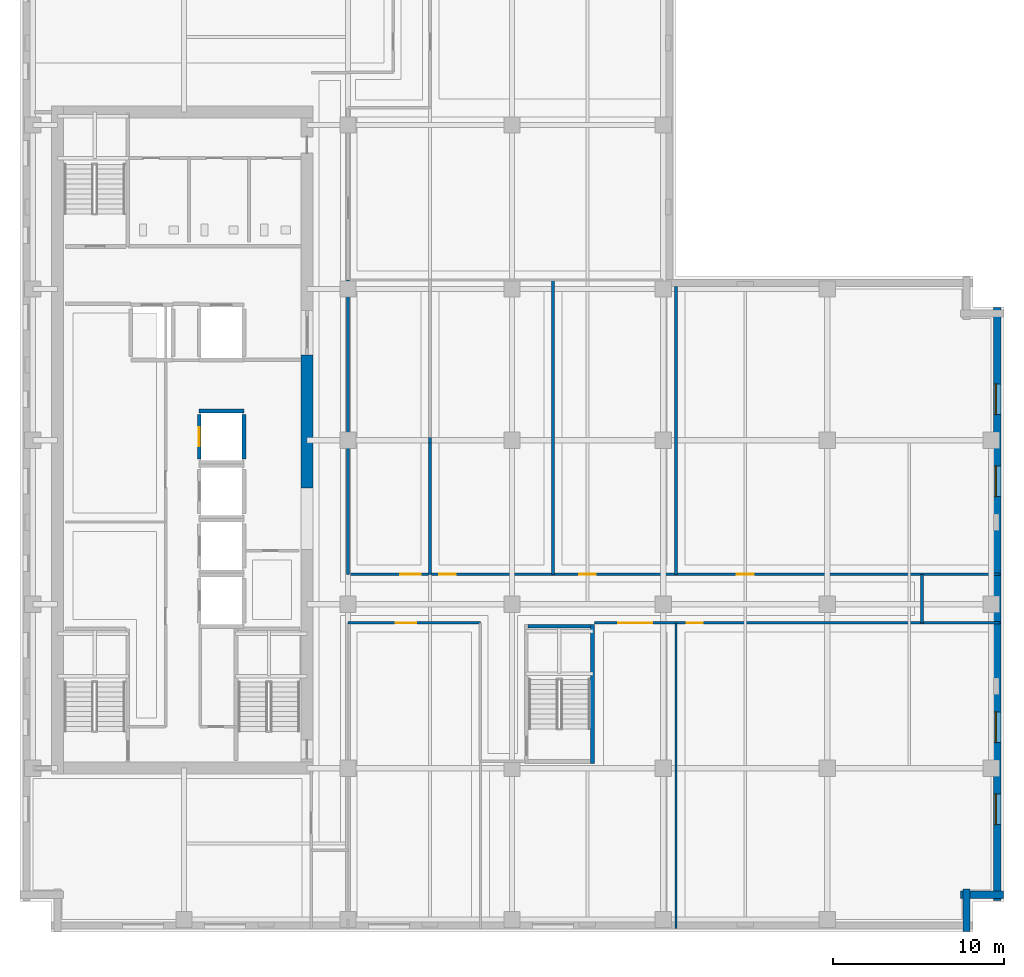
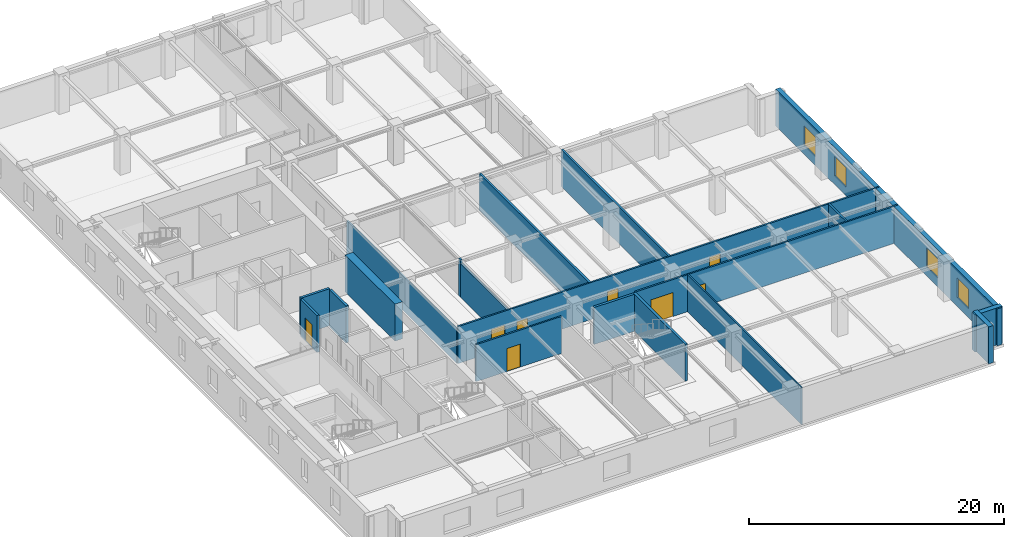
# One storey, part 5 of 13: 19 walls, 8 doors, 4 windows, 12 openings.
"""IFC4 building model written with IfcOpenShell, lengths in metres."""

import ifcopenshell
import ifcopenshell.guid

model = None  # the IFC model being written
_history = None  # IfcOwnerHistory: only IFC2X3 demands one
_inside = {}  # id of a spatial element -> (the spatial element, [elements in it])
_under = {}  # id of a project, library or spatial element -> (it, [spatial elements below it])
_declared = {}  # id of a project -> (the project, [libraries it declares])
_typed = {}  # id of a type object -> (the type object, [elements of that type])
_made_of = {}  # id of a material, layer set ... -> (it, [elements and type objects made of it])


def new_model(schema):
    """Start an empty IFC model of exactly this schema.

    Asked for "IFC4X3", IfcOpenShell would pick the latest addendum, in which some entities
    have other attributes; the version numbers below select the first issue.
    IFC2X3 requires an IfcOwnerHistory on every rooted entity: one is made here for all.
    """
    global model, _history
    if schema == "IFC4X3":
        model = ifcopenshell.file(schema_version=(4, 3, 0, 0))
    else:
        model = ifcopenshell.file(schema=schema)
    _inside.clear()
    _under.clear()
    _declared.clear()
    _typed.clear()
    _made_of.clear()
    _history = None
    if model.schema == "IFC2X3":
        org = make("IfcOrganization", Name="unknown")
        user = make(
            "IfcPersonAndOrganization",
            ThePerson=make("IfcPerson", FamilyName="unknown"),
            TheOrganization=org,
        )
        app = make(
            "IfcApplication",
            ApplicationDeveloper=org,
            Version="unknown",
            ApplicationFullName="unknown",
            ApplicationIdentifier="unknown",
        )
        _history = make(
            "IfcOwnerHistory",
            OwningUser=user,
            OwningApplication=app,
            ChangeAction="ADDED",
            CreationDate=0,
        )
    return model


def make(cls, **values):
    """One entity of the class cls with the attributes given. An attribute that is None is left unset."""
    return model.create_entity(
        cls, **{name: value for name, value in values.items() if value is not None}
    )


def rooted(cls, **values):
    """An entity with a GlobalId (a new one), such as an element, a storey or a relation."""
    return make(cls, GlobalId=ifcopenshell.guid.new(), OwnerHistory=_history, **values)


def si_unit(unit_type, name, prefix=None):
    """IfcSIUnit, for example si_unit("LENGTHUNIT", "METRE", prefix="MILLI")."""
    return make("IfcSIUnit", UnitType=unit_type, Prefix=prefix, Name=name)


def assignment(units):
    """IfcUnitAssignment: the units of a project."""
    return None if units is None else make("IfcUnitAssignment", Units=units)


def point(xyz):
    """IfcCartesianPoint."""
    return None if xyz is None else make("IfcCartesianPoint", Coordinates=xyz)


def direction(xyz):
    """IfcDirection."""
    return None if xyz is None else make("IfcDirection", DirectionRatios=xyz)


def frame(location, z_axis=None, x_axis=None):
    """IfcAxis2Placement3D, a coordinate frame: its origin and axes. An axis left out is left unset."""
    return make(
        "IfcAxis2Placement3D",
        Location=point(location),
        Axis=direction(z_axis),
        RefDirection=direction(x_axis),
    )


def frame_2d(location, x_axis=None):
    """IfcAxis2Placement2D, a coordinate frame in the plane: its origin and x axis."""
    return make(
        "IfcAxis2Placement2D", Location=point(location), RefDirection=direction(x_axis)
    )


def origin():
    """The frame at (0, 0, 0) with its axes left unset."""
    return frame((0.0, 0.0, 0.0))


def place(relative_to, where):
    """IfcLocalPlacement: puts the frame where relative to a parent placement (None: the world)."""
    return make(
        "IfcLocalPlacement", PlacementRelTo=relative_to, RelativePlacement=where
    )


def context(
    kind, dimensions, precision=None, world=None, true_north=None, identifier=None
):
    """IfcGeometricRepresentationContext, for example the 3D "Model" context."""
    return make(
        "IfcGeometricRepresentationContext",
        ContextIdentifier=identifier,
        ContextType=kind,
        CoordinateSpaceDimension=dimensions,
        Precision=precision,
        WorldCoordinateSystem=world,
        TrueNorth=true_north,
    )


def subcontext(parent, identifier, kind, view, scale=None):
    """IfcGeometricRepresentationSubContext, for example "Body" below "Model"."""
    return make(
        "IfcGeometricRepresentationSubContext",
        ContextIdentifier=identifier,
        ContextType=kind,
        ParentContext=parent,
        TargetScale=scale,
        TargetView=view,
    )


def project(units=None, contexts=None):
    """IfcProject with its units and contexts."""
    return rooted(
        "IfcProject",
        Name="project",
        RepresentationContexts=contexts,
        UnitsInContext=assignment(units),
    )


def spatial(cls, under=None, at=None, **own):
    """A site, building, storey or space (cls), placed at a placement, below another one or the project."""
    s = rooted(cls, ObjectPlacement=at, **own)
    if under is not None:
        _under.setdefault(under.id(), (under, []))[1].append(s)
    return s


def profile(cls, at=None, kind="AREA", **sizes):
    """A parametric profile (cls). Its sizes go by their IFC names, for example OverallWidth=200.0."""
    return make(cls, ProfileType=kind, Position=at, **sizes)


def rectangle(**sizes):
    """IfcRectangleProfileDef."""
    return profile("IfcRectangleProfileDef", **sizes)


def extrude(swept, where, along, depth):
    """IfcExtrudedAreaSolid: the profile swept, set in the frame where, extruded along a direction by depth."""
    return make(
        "IfcExtrudedAreaSolid",
        SweptArea=swept,
        Position=where,
        ExtrudedDirection=direction(along),
        Depth=depth,
    )


def shape(context_of_items, identifier, shape_type, items):
    """IfcShapeRepresentation: the items that make up one representation, for example the "Body"."""
    return make(
        "IfcShapeRepresentation",
        ContextOfItems=context_of_items,
        RepresentationIdentifier=identifier,
        RepresentationType=shape_type,
        Items=items,
    )


def material(Name=None, Category=None):
    """IfcMaterial."""
    return make("IfcMaterial", Name=Name, Category=Category)


def layer(
    of_material, thickness, ventilated=None, Name=None, Category=None, Priority=None
):
    """IfcMaterialLayer: one layer of a wall or slab, of a material (None: an air gap)."""
    return make(
        "IfcMaterialLayer",
        Material=of_material,
        LayerThickness=thickness,
        IsVentilated=ventilated,
        Name=Name,
        Category=Category,
        Priority=Priority,
    )


def layer_set(layers, Name=None):
    """IfcMaterialLayerSet."""
    return make("IfcMaterialLayerSet", MaterialLayers=layers, LayerSetName=Name)


def made_of(thing, what):
    """Note that an element or type object is made of a material, layer set ...; save() writes the relation."""
    if what is not None:
        _made_of.setdefault(what.id(), (what, []))[1].append(thing)
    return thing


def type_object(cls, material=None, **own):
    """A type object (cls), such as IfcWallType, which elements share."""
    return made_of(rooted(cls, **own), material)


def element(
    cls,
    number,
    at=None,
    inside=None,
    cuts=None,
    type_object=None,
    material=None,
    context=None,
    identifier="Body",
    shape_type=None,
    held_by="IfcProductDefinitionShape",
    body=None,
    shapes=None,
    **own,
):
    """One element of the class cls, such as IfcWall. Its Tag is "e" and its number.

    at: its placement. inside: the storey or other place that contains it. cuts: it is an
    opening in that element (IfcRelVoidsElement). A single representation is given by context,
    identifier, shape_type and body (its items); several are given by shapes. held_by: the class
    of the entity that holds the representations. save() writes the other relations.
    """
    e = rooted(cls, Tag="e%d" % number, ObjectPlacement=at, **own)
    if body is not None:
        shapes = [shape(context, identifier, shape_type, body)]
    if shapes is not None:
        e.Representation = make(held_by, Representations=shapes)
    if inside is not None:
        _inside.setdefault(inside.id(), (inside, []))[1].append(e)
    if cuts is not None:
        rooted(
            "IfcRelVoidsElement", RelatingBuildingElement=cuts, RelatedOpeningElement=e
        )
    if type_object is not None:
        _typed.setdefault(type_object.id(), (type_object, []))[1].append(e)
    return made_of(e, material)


def fill(opening, filler):
    """IfcRelFillsElement: the door or window that sits in an opening."""
    return rooted(
        "IfcRelFillsElement",
        RelatingOpeningElement=opening,
        RelatedBuildingElement=filler,
    )


def aggregate(whole, parts):
    """IfcRelAggregates: a whole, such as a stair, and the parts it consists of."""
    return rooted("IfcRelAggregates", RelatingObject=whole, RelatedObjects=parts)


def save(model, path):
    """Write the relations noted so far, then the file.

    IfcRelAggregates (storeys below a building ...), IfcRelContainedInSpatialStructure (elements
    in a storey), IfcRelDefinesByType, IfcRelAssociatesMaterial and IfcRelDeclares: one each for
    every whole, place, type object, material and project.
    """
    for whole, parts in _under.values():
        aggregate(whole, parts)
    for where, things in _inside.values():
        rooted(
            "IfcRelContainedInSpatialStructure",
            RelatedElements=things,
            RelatingStructure=where,
        )
    for kind, things in _typed.values():
        rooted("IfcRelDefinesByType", RelatedObjects=things, RelatingType=kind)
    for what, things in _made_of.values():
        rooted("IfcRelAssociatesMaterial", RelatedObjects=things, RelatingMaterial=what)
    for by, libraries in _declared.values():
        rooted("IfcRelDeclares", RelatingContext=by, RelatedDefinitions=libraries)
    model.write(path)


model = new_model("IFC4")

# Units and contexts
model_context = context("Model", 3, precision=1e-05, world=origin(), true_north=direction((0.0, 1.0)))
body_context = subcontext(model_context, "Body", "Model", "MODEL_VIEW")
ifc_project = project(units=[si_unit("LENGTHUNIT", "METRE"), si_unit("AREAUNIT", "SQUARE_METRE"), si_unit("VOLUMEUNIT", "CUBIC_METRE"), si_unit("PLANEANGLEUNIT", "RADIAN"), si_unit("MASSUNIT", "GRAM", prefix="KILO")], contexts=[model_context])

# Site, building, storey
site_placement = place(None, origin())
site = spatial("IfcSite", under=ifc_project, at=site_placement, CompositionType="ELEMENT")
building_placement = place(site_placement, origin())
building = spatial("IfcBuilding", under=site, at=building_placement, Name="Norrvale University Quadrangle", CompositionType="ELEMENT")
storey_placement = place(building_placement, frame((0.0, 0.0, 178.800048828125)))
storey = spatial("IfcBuildingStorey", under=building, at=storey_placement, Name="L45", CompositionType="ELEMENT", Elevation=178.800048828125)

# Walls
ifc_material_1 = material(Name="Buff Norman Clay Brick Masonry", Category="masonry")
ifc_layer_1 = layer(ifc_material_1, 0.419921875, Name="Buff Norman Clay Brick Masonry")
ifc_layer_set_1 = layer_set([ifc_layer_1], Name="Buff Norman Clay Brick Masonry")
wall_type_1 = type_object("IfcWallType", Name="Wall Buff Brick 420", PredefinedType="SOLIDWALL", material=ifc_layer_set_1)
for number, where, z_axis, x_axis, name in (
    (1, (55.409912109375, 0.0400390625, 0.0), (0.0, 0.0, 1.0), (0.0, 1.0, 0.0), "Exterior Brick Facade Wall L45-02.1"),
    (2, (55.06005859375, 2.18994140625, 0.0), (0.0, 0.0, 1.0), (1.0, 0.0, 0.0), "Exterior Brick Facade Wall L45-03.1"),
):
    element("IfcWall", number, at=place(storey_placement, frame(where, z_axis=z_axis, x_axis=x_axis)), inside=storey, type_object=wall_type_1, Name=name, PredefinedType="SOLIDWALL", context=body_context, shape_type="SweptSolid", body=[
        extrude(rectangle(XDim=2.5, YDim=0.419921875, at=frame_2d((1.25, 0.0))), origin(), (0.0, 0.0, 1.0), 3.5400390625),
    ])

# Wall, openings, windows
wall_1_placement = place(storey_placement, frame((57.2099609375, 1.840087890625, 0.0), z_axis=(0.0, 0.0, 1.0), x_axis=(0.0, 1.0, 0.0)))
wall_1 = element("IfcWall", 3, at=wall_1_placement, inside=storey, type_object=wall_type_1, Name="Exterior Brick Facade Wall L45-04.1", PredefinedType="SOLIDWALL", context=body_context, shape_type="SweptSolid", body=[
    extrude(rectangle(XDim=34.719970703125, YDim=0.419921875, at=frame_2d((17.35986328125, 0.0))), origin(), (0.0, 0.0, 1.0), 3.5400390625),
])
opening_1_placement = place(wall_1_placement, frame((4.4599609375, 0.0, 0.85009765625)))
opening_1 = element("IfcOpeningElement", 4, at=opening_1_placement, cuts=wall_1, Name="Opening W01", PredefinedType="OPENING", context=body_context, shape_type="SweptSolid", body=[
    extrude(rectangle(XDim=1.800048828125, YDim=1.85009765625, at=frame_2d((0.89990234375, 0.925048828125))), frame((0.0, 0.221923828125, 0.0), z_axis=(0.0, -1.0, 0.0), x_axis=(1.0, 0.0, 0.0)), (0.0, 0.0, 1.0), 0.44384765625),
])
opening_2_placement = place(wall_1_placement, frame((9.260009765625, 0.0, 0.85009765625)))
opening_2 = element("IfcOpeningElement", 5, at=opening_2_placement, cuts=wall_1, Name="Opening W01", PredefinedType="OPENING", context=body_context, shape_type="SweptSolid", body=[
    extrude(rectangle(XDim=1.800048828125, YDim=1.85009765625, at=frame_2d((0.89990234375, 0.925048828125))), frame((0.0, 0.221923828125, 0.0), z_axis=(0.0, -1.0, 0.0), x_axis=(1.0, 0.0, 0.0)), (0.0, 0.0, 1.0), 0.44384765625),
])
opening_3_placement = place(wall_1_placement, frame((23.659912109375, 0.0, 0.85009765625)))
opening_3 = element("IfcOpeningElement", 6, at=opening_3_placement, cuts=wall_1, Name="Opening W01", PredefinedType="OPENING", context=body_context, shape_type="SweptSolid", body=[
    extrude(rectangle(XDim=1.800048828125, YDim=1.85009765625, at=frame_2d((0.89990234375, 0.925048828125))), frame((0.0, 0.221923828125, 0.0), z_axis=(0.0, -1.0, 0.0), x_axis=(1.0, 0.0, 0.0)), (0.0, 0.0, 1.0), 0.44384765625),
])
opening_4_placement = place(wall_1_placement, frame((28.4599609375, 0.0, 0.85009765625)))
opening_4 = element("IfcOpeningElement", 7, at=opening_4_placement, cuts=wall_1, Name="Opening W01", PredefinedType="OPENING", context=body_context, shape_type="SweptSolid", body=[
    extrude(rectangle(XDim=1.800048828125, YDim=1.85009765625, at=frame_2d((0.89990234375, 0.925048828125))), frame((0.0, 0.221923828125, 0.0), z_axis=(0.0, -1.0, 0.0), x_axis=(1.0, 0.0, 0.0)), (0.0, 0.0, 1.0), 0.44384765625),
])
ifc_material_2 = material(Name="Triple Low-E Argon Glazing", Category="glass")
window_type = type_object("IfcWindowType", Name="Window Academic 1800x2300", PartitioningType="DOUBLE_PANEL_VERTICAL", PredefinedType="WINDOW", material=ifc_material_2)
window_1_placement = place(opening_1_placement, origin())
window_1 = element("IfcWindow", 8, at=window_1_placement, inside=storey, type_object=window_type, Name="Window Academic 1800x2300 WIN-L45-E04-1-01", OverallHeight=1.85009765625, OverallWidth=1.800048828125, PartitioningType="DOUBLE_PANEL_VERTICAL", PredefinedType="WINDOW", context=body_context, shape_type="SweptSolid", body=[
    extrude(rectangle(XDim=1.800048828125, YDim=1.85009765625, at=frame_2d((0.89990234375, 0.925048828125))), frame((0.0, 0.110107421875, 0.0), z_axis=(0.0, -1.0, 0.0), x_axis=(1.0, 0.0, 0.0)), (0.0, 0.0, 1.0), 0.06005859375),
])
fill(opening_1, window_1)
window_2_placement = place(opening_2_placement, origin())
window_2 = element("IfcWindow", 9, at=window_2_placement, inside=storey, type_object=window_type, Name="Window Academic 1800x2300 WIN-L45-E04-1-02", OverallHeight=1.85009765625, OverallWidth=1.800048828125, PartitioningType="DOUBLE_PANEL_VERTICAL", PredefinedType="WINDOW", context=body_context, shape_type="SweptSolid", body=[
    extrude(rectangle(XDim=1.800048828125, YDim=1.85009765625, at=frame_2d((0.89990234375, 0.925048828125))), frame((0.0, 0.110107421875, 0.0), z_axis=(0.0, -1.0, 0.0), x_axis=(1.0, 0.0, 0.0)), (0.0, 0.0, 1.0), 0.06005859375),
])
fill(opening_2, window_2)
window_3_placement = place(opening_3_placement, origin())
window_3 = element("IfcWindow", 10, at=window_3_placement, inside=storey, type_object=window_type, Name="Window Academic 1800x2300 WIN-L45-E04-1-03", OverallHeight=1.85009765625, OverallWidth=1.800048828125, PartitioningType="DOUBLE_PANEL_VERTICAL", PredefinedType="WINDOW", context=body_context, shape_type="SweptSolid", body=[
    extrude(rectangle(XDim=1.800048828125, YDim=1.85009765625, at=frame_2d((0.89990234375, 0.925048828125))), frame((0.0, 0.110107421875, 0.0), z_axis=(0.0, -1.0, 0.0), x_axis=(1.0, 0.0, 0.0)), (0.0, 0.0, 1.0), 0.06005859375),
])
fill(opening_3, window_3)
window_4_placement = place(opening_4_placement, origin())
window_4 = element("IfcWindow", 11, at=window_4_placement, inside=storey, type_object=window_type, Name="Window Academic 1800x2300 WIN-L45-E04-1-04", OverallHeight=1.85009765625, OverallWidth=1.800048828125, PartitioningType="DOUBLE_PANEL_VERTICAL", PredefinedType="WINDOW", context=body_context, shape_type="SweptSolid", body=[
    extrude(rectangle(XDim=1.800048828125, YDim=1.85009765625, at=frame_2d((0.89990234375, 0.925048828125))), frame((0.0, 0.110107421875, 0.0), z_axis=(0.0, -1.0, 0.0), x_axis=(1.0, 0.0, 0.0)), (0.0, 0.0, 1.0), 0.06005859375),
])
fill(opening_4, window_4)

# Walls
ifc_material_3 = material(Name="Concrete C60/75", Category="concrete")
ifc_layer_2 = layer(ifc_material_3, 0.699951171875, Name="Concrete C60/75")
ifc_layer_set_2 = layer_set([ifc_layer_2], Name="Concrete C60/75")
wall_type_2 = type_object("IfcWallType", Name="Wall Core 700", PredefinedType="SHEAR", material=ifc_layer_set_2)
wall_2_placement = place(storey_placement, frame((16.800048828125, 26.0, 0.0), z_axis=(0.0, 0.0, 1.0), x_axis=(0.0, 1.0, 0.0)))
element("IfcWall", 12, at=wall_2_placement, inside=storey, type_object=wall_type_2, Name="Tower Core Shear Wall L45-E2", PredefinedType="SHEAR", context=body_context, shape_type="SweptSolid", body=[
    extrude(rectangle(XDim=7.800048828125, YDim=0.699951171875, at=frame_2d((3.89990234375, 0.0))), origin(), (0.0, 0.0, 1.0), 3.5400390625),
])
ifc_material_4 = material(Name="Standard Academic Gypsum Partition")
ifc_layer_3 = layer(ifc_material_4, 0.125, Name="Standard Academic Gypsum Partition")
ifc_layer_set_3 = layer_set([ifc_layer_3], Name="Standard Academic Gypsum Partition")
wall_type_3 = type_object("IfcWallType", Name="Wall Gypsum Academic 125", PredefinedType="PARTITIONING", material=ifc_layer_set_3)
wall_3_placement = place(storey_placement, frame((38.39990234375, 0.219970703125, 0.0), z_axis=(0.0, 0.0, 1.0), x_axis=(0.0, 1.0, 0.0)))
element("IfcWall", 13, at=wall_3_placement, inside=storey, type_object=wall_type_3, Name="Interior Partition WL-L45-SEP2", PredefinedType="PARTITIONING", context=body_context, shape_type="SweptSolid", body=[
    extrude(rectangle(XDim=17.880126953125, YDim=0.125, at=frame_2d((8.93994140625, 0.0))), origin(), (0.0, 0.0, 1.0), 3.5400390625),
])
ifc_material_5 = material(Name="Fire-Rated Gypsum Stud Partition")
ifc_layer_4 = layer(ifc_material_5, 0.14990234375, Name="Fire-Rated Gypsum Stud Partition")
ifc_layer_set_4 = layer_set([ifc_layer_4], Name="Fire-Rated Gypsum Stud Partition")
wall_type_4 = type_object("IfcWallType", Name="Wall Gypsum Corridor 150", PredefinedType="PARTITIONING", material=ifc_layer_set_4)
wall_4_placement = place(storey_placement, frame((52.800048828125, 18.10009765625, 0.0), z_axis=(0.0, 0.0, 1.0), x_axis=(0.0, 1.0, 0.0)))
element("IfcWall", 14, at=wall_4_placement, inside=storey, type_object=wall_type_4, Name="Interior Partition WL-L45-CESP-E", PredefinedType="PARTITIONING", context=body_context, shape_type="SweptSolid", body=[
    extrude(rectangle(XDim=2.849853515625, YDim=0.14990234375, at=frame_2d((1.4248046875, 0.0))), origin(), (0.0, 0.0, 1.0), 3.5400390625),
])

# Wall, opening, door
wall_5_placement = place(storey_placement, frame((19.199951171875, 18.10009765625, 0.0), z_axis=(0.0, 0.0, 1.0), x_axis=(1.0, 0.0, 0.0)))
wall_5 = element("IfcWall", 15, at=wall_5_placement, inside=storey, type_object=wall_type_4, Name="Interior Partition WL-L45-SEW1", PredefinedType="PARTITIONING", context=body_context, shape_type="SweptSolid", body=[
    extrude(rectangle(XDim=7.75, YDim=0.14990234375, at=frame_2d((3.875, 0.0))), origin(), (0.0, 0.0, 1.0), 3.5400390625),
])
opening_5_placement = place(wall_5_placement, frame((2.800048828125, 0.0, 0.0)))
opening_5 = element("IfcOpeningElement", 16, at=opening_5_placement, cuts=wall_5, Name="Opening D05", PredefinedType="OPENING", context=body_context, shape_type="SweptSolid", body=[
    extrude(rectangle(XDim=1.199951171875, YDim=2.199951171875, at=frame_2d((0.60009765625, 1.10009765625))), frame((0.0, 0.0869140625, 0.0), z_axis=(0.0, -1.0, 0.0), x_axis=(1.0, 0.0, 0.0)), (0.0, 0.0, 1.0), 0.173828125),
])
ifc_material_6 = material(Name="Acoustic Oak Classroom Door", Category="wood")
door_type_1 = type_object("IfcDoorType", Name="Door Classroom 1200x2200", OperationType="NOTDEFINED", PredefinedType="DOOR", material=ifc_material_6)
door_1_placement = place(opening_5_placement, origin())
door_1 = element("IfcDoor", 17, at=door_1_placement, inside=storey, type_object=door_type_1, Name="Door Classroom 1200x2200 DR-L45-SE1", OperationType="SINGLE_SWING_LEFT", OverallHeight=2.199951171875, OverallWidth=1.199951171875, PredefinedType="DOOR", context=body_context, shape_type="SweptSolid", body=[
    extrude(rectangle(XDim=1.199951171875, YDim=2.199951171875, at=frame_2d((0.60009765625, 1.10009765625))), frame((0.0, 0.02490234375, 0.0), z_axis=(0.0, -1.0, 0.0), x_axis=(1.0, 0.0, 0.0)), (0.0, 0.0, 1.0), 0.050048828125),
])
fill(opening_5, door_1)

# Wall, openings, doors
wall_6_placement = place(storey_placement, frame((33.6201171875, 18.10009765625, 0.0), z_axis=(0.0, 0.0, 1.0), x_axis=(1.0, 0.0, 0.0)))
wall_6 = element("IfcWall", 18, at=wall_6_placement, inside=storey, type_object=wall_type_4, Name="Interior Partition WL-L45-SEW2", PredefinedType="PARTITIONING", context=body_context, shape_type="SweptSolid", body=[
    extrude(rectangle(XDim=23.759765625, YDim=0.14990234375, at=frame_2d((11.8798828125, 0.0))), origin(), (0.0, 0.0, 1.0), 3.5400390625),
])
opening_6_placement = place(wall_6_placement, frame((1.39990234375, 0.0, 0.0)))
opening_6 = element("IfcOpeningElement", 19, at=opening_6_placement, cuts=wall_6, Name="Opening D06", PredefinedType="OPENING", context=body_context, shape_type="SweptSolid", body=[
    extrude(rectangle(XDim=2.0, YDim=2.300048828125, at=frame_2d((1.0, 1.14990234375))), frame((0.0, 0.0869140625, 0.0), z_axis=(0.0, -1.0, 0.0), x_axis=(1.0, 0.0, 0.0)), (0.0, 0.0, 1.0), 0.173828125),
])
opening_7_placement = place(wall_6_placement, frame((5.39990234375, 0.0, 0.0)))
opening_7 = element("IfcOpeningElement", 20, at=opening_7_placement, cuts=wall_6, Name="Opening D07", PredefinedType="OPENING", context=body_context, shape_type="SweptSolid", body=[
    extrude(rectangle(XDim=0.949951171875, YDim=2.14990234375, at=frame_2d((0.47509765625, 1.074951171875))), frame((0.0, 0.0869140625, 0.0), z_axis=(0.0, -1.0, 0.0), x_axis=(1.0, 0.0, 0.0)), (0.0, 0.0, 1.0), 0.173828125),
])
ifc_material_7 = material(Name="Acoustic Oak Double Door", Category="wood")
door_type_2 = type_object("IfcDoorType", Name="Door Lecture Dbl 2000x2300", OperationType="DOUBLE_SWING_LEFT", PredefinedType="DOOR", material=ifc_material_7)
door_2_placement = place(opening_6_placement, origin())
door_2 = element("IfcDoor", 21, at=door_2_placement, inside=storey, type_object=door_type_2, Name="Door Lecture Dbl 2000x2300 DR-L45-SE2", OperationType="DOUBLE_SWING_LEFT", OverallHeight=2.300048828125, OverallWidth=2.0, PredefinedType="DOOR", context=body_context, shape_type="SweptSolid", body=[
    extrude(rectangle(XDim=2.0, YDim=2.300048828125, at=frame_2d((1.0, 1.14990234375))), frame((0.0, 0.02490234375, 0.0), z_axis=(0.0, -1.0, 0.0), x_axis=(1.0, 0.0, 0.0)), (0.0, 0.0, 1.0), 0.050048828125),
])
fill(opening_6, door_2)
ifc_material_8 = material(Name="Solid-Core Maple Door", Category="wood")
door_type_3 = type_object("IfcDoorType", Name="Door Office 950x2150", OperationType="NOTDEFINED", PredefinedType="DOOR", material=ifc_material_8)
door_3_placement = place(opening_7_placement, origin())
door_3 = element("IfcDoor", 22, at=door_3_placement, inside=storey, type_object=door_type_3, Name="Door Office 950x2150 DR-L45-SE3", OperationType="SINGLE_SWING_LEFT", OverallHeight=2.14990234375, OverallWidth=0.949951171875, PredefinedType="DOOR", context=body_context, shape_type="SweptSolid", body=[
    extrude(rectangle(XDim=0.949951171875, YDim=2.14990234375, at=frame_2d((0.47509765625, 1.074951171875))), frame((0.0, 0.02490234375, 0.0), z_axis=(0.0, -1.0, 0.0), x_axis=(1.0, 0.0, 0.0)), (0.0, 0.0, 1.0), 0.050048828125),
])
fill(opening_7, door_3)

wall_7_placement = place(storey_placement, frame((19.199951171875, 20.949951171875, 0.0), z_axis=(0.0, 0.0, 1.0), x_axis=(1.0, 0.0, 0.0)))
wall_7 = element("IfcWall", 23, at=wall_7_placement, inside=storey, type_object=wall_type_4, Name="Interior Partition WL-L45-MECW", PredefinedType="PARTITIONING", context=body_context, shape_type="SweptSolid", body=[
    extrude(rectangle(XDim=38.179931640625, YDim=0.14990234375, at=frame_2d((19.08984375, 0.0))), origin(), (0.0, 0.0, 1.0), 3.5400390625),
])
opening_8_placement = place(wall_7_placement, frame((3.050048828125, 0.0, 0.0)))
opening_8 = element("IfcOpeningElement", 24, at=opening_8_placement, cuts=wall_7, Name="Opening D05", PredefinedType="OPENING", context=body_context, shape_type="SweptSolid", body=[
    extrude(rectangle(XDim=1.199951171875, YDim=2.199951171875, at=frame_2d((0.60009765625, 1.10009765625))), frame((0.0, 0.0869140625, 0.0), z_axis=(0.0, -1.0, 0.0), x_axis=(1.0, 0.0, 0.0)), (0.0, 0.0, 1.0), 0.173828125),
])
opening_9_placement = place(wall_7_placement, frame((5.35009765625, 0.0, 0.0)))
opening_9 = element("IfcOpeningElement", 25, at=opening_9_placement, cuts=wall_7, Name="Opening D07", PredefinedType="OPENING", context=body_context, shape_type="SweptSolid", body=[
    extrude(rectangle(XDim=0.949951171875, YDim=2.14990234375, at=frame_2d((0.47509765625, 1.074951171875))), frame((0.0, 0.0869140625, 0.0), z_axis=(0.0, -1.0, 0.0), x_axis=(1.0, 0.0, 0.0)), (0.0, 0.0, 1.0), 0.173828125),
])
opening_10_placement = place(wall_7_placement, frame((13.550048828125, 0.0, 0.0)))
opening_10 = element("IfcOpeningElement", 26, at=opening_10_placement, cuts=wall_7, Name="Opening D07", PredefinedType="OPENING", context=body_context, shape_type="SweptSolid", body=[
    extrude(rectangle(XDim=0.949951171875, YDim=2.14990234375, at=frame_2d((0.47509765625, 1.074951171875))), frame((0.0, 0.0869140625, 0.0), z_axis=(0.0, -1.0, 0.0), x_axis=(1.0, 0.0, 0.0)), (0.0, 0.0, 1.0), 0.173828125),
])
opening_11_placement = place(wall_7_placement, frame((22.75, 0.0, 0.0)))
opening_11 = element("IfcOpeningElement", 27, at=opening_11_placement, cuts=wall_7, Name="Opening D04", PredefinedType="OPENING", context=body_context, shape_type="SweptSolid", body=[
    extrude(rectangle(XDim=1.0, YDim=2.199951171875, at=frame_2d((0.5, 1.10009765625))), frame((0.0, 0.0869140625, 0.0), z_axis=(0.0, -1.0, 0.0), x_axis=(1.0, 0.0, 0.0)), (0.0, 0.0, 1.0), 0.173828125),
])
door_4_placement = place(opening_8_placement, origin())
door_4 = element("IfcDoor", 28, at=door_4_placement, inside=storey, type_object=door_type_1, Name="Door Classroom 1200x2200 DR-L45-ME01", OperationType="SINGLE_SWING_LEFT", OverallHeight=2.199951171875, OverallWidth=1.199951171875, PredefinedType="DOOR", context=body_context, shape_type="SweptSolid", body=[
    extrude(rectangle(XDim=1.199951171875, YDim=2.199951171875, at=frame_2d((0.60009765625, 1.10009765625))), frame((0.0, 0.02490234375, 0.0), z_axis=(0.0, -1.0, 0.0), x_axis=(1.0, 0.0, 0.0)), (0.0, 0.0, 1.0), 0.050048828125),
])
fill(opening_8, door_4)
ifc_material_9 = material(Name="Solid-Core Oak Fire Door", Category="wood")
door_type_4 = type_object("IfcDoorType", Name="Door Corridor 1000x2200", OperationType="NOTDEFINED", PredefinedType="DOOR", material=ifc_material_9)
door_5_placement = place(opening_11_placement, origin())
door_5 = element("IfcDoor", 29, at=door_5_placement, inside=storey, type_object=door_type_4, Name="Door Corridor 1000x2200 DR-L45-ME04", OperationType="SINGLE_SWING_RIGHT", OverallHeight=2.199951171875, OverallWidth=1.0, PredefinedType="DOOR", context=body_context, shape_type="SweptSolid", body=[
    extrude(rectangle(XDim=1.0, YDim=2.199951171875, at=frame_2d((0.5, 1.10009765625))), frame((0.0, 0.02490234375, 0.0), z_axis=(0.0, -1.0, 0.0), x_axis=(1.0, 0.0, 0.0)), (0.0, 0.0, 1.0), 0.050048828125),
])
fill(opening_11, door_5)
door_6_placement = place(opening_9_placement, origin())
door_6 = element("IfcDoor", 30, at=door_6_placement, inside=storey, type_object=door_type_3, Name="Door Office 950x2150 DR-L45-ME02", OperationType="SINGLE_SWING_RIGHT", OverallHeight=2.14990234375, OverallWidth=0.949951171875, PredefinedType="DOOR", context=body_context, shape_type="SweptSolid", body=[
    extrude(rectangle(XDim=0.949951171875, YDim=2.14990234375, at=frame_2d((0.47509765625, 1.074951171875))), frame((0.0, 0.02490234375, 0.0), z_axis=(0.0, -1.0, 0.0), x_axis=(1.0, 0.0, 0.0)), (0.0, 0.0, 1.0), 0.050048828125),
])
fill(opening_9, door_6)
door_7_placement = place(opening_10_placement, origin())
door_7 = element("IfcDoor", 31, at=door_7_placement, inside=storey, type_object=door_type_3, Name="Door Office 950x2150 DR-L45-ME03", OperationType="SINGLE_SWING_LEFT", OverallHeight=2.14990234375, OverallWidth=0.949951171875, PredefinedType="DOOR", context=body_context, shape_type="SweptSolid", body=[
    extrude(rectangle(XDim=0.949951171875, YDim=2.14990234375, at=frame_2d((0.47509765625, 1.074951171875))), frame((0.0, 0.02490234375, 0.0), z_axis=(0.0, -1.0, 0.0), x_axis=(1.0, 0.0, 0.0)), (0.0, 0.0, 1.0), 0.050048828125),
])
fill(opening_10, door_7)

# Walls
wall_8_placement = place(storey_placement, frame((19.199951171875, 20.949951171875, 0.0), z_axis=(0.0, 0.0, 1.0), x_axis=(0.0, 1.0, 0.0)))
element("IfcWall", 32, at=wall_8_placement, inside=storey, type_object=wall_type_4, Name="Interior Partition WL-L45-ME-W", PredefinedType="PARTITIONING", context=body_context, shape_type="SweptSolid", body=[
    extrude(rectangle(XDim=17.22998046875, YDim=0.14990234375, at=frame_2d((8.614990234375, 0.0))), origin(), (0.0, 0.0, 1.0), 3.23193359375),
])
ifc_material_10 = material(Name="Acoustic Double-Stud Gypsum Partition")
ifc_layer_5 = layer(ifc_material_10, 0.179931640625, Name="Acoustic Double-Stud Gypsum Partition")
ifc_layer_set_5 = layer_set([ifc_layer_5], Name="Acoustic Double-Stud Gypsum Partition")
wall_type_5 = type_object("IfcWallType", Name="Wall Gypsum Lecture 180", PredefinedType="PARTITIONING", material=ifc_layer_set_5)
wall_9_placement = place(storey_placement, frame((24.0, 20.949951171875, 0.0), z_axis=(0.0, 0.0, 1.0), x_axis=(0.0, 1.0, 0.0)))
element("IfcWall", 33, at=wall_9_placement, inside=storey, type_object=wall_type_5, Name="Interior Partition WL-L45-MEP01", PredefinedType="PARTITIONING", context=body_context, shape_type="SweptSolid", body=[
    extrude(rectangle(XDim=7.697509765625, YDim=0.179931640625, at=frame_2d((3.8486328125, 0.0))), origin(), (0.0, 0.0, 1.0), 3.222900390625),
])
wall_10_placement = place(storey_placement, frame((24.0, 28.6474609375, 0.0), z_axis=(0.0, 0.0, 1.0), x_axis=(0.0, 1.0, 0.0)))
element("IfcWall", 34, at=wall_10_placement, inside=storey, type_object=wall_type_5, Name="Interior Partition WL-L45-MEP01-B2", PredefinedType="PARTITIONING", context=body_context, shape_type="SweptSolid", body=[
    extrude(rectangle(XDim=0.304931640625, YDim=0.179931640625, at=frame_2d((0.15234375, 0.0))), origin(), (0.0, 0.0, 1.0), 3.5400390625),
])
wall_11_placement = place(storey_placement, frame((31.199951171875, 20.949951171875, 0.0), z_axis=(0.0, 0.0, 1.0), x_axis=(0.0, 1.0, 0.0)))
element("IfcWall", 35, at=wall_11_placement, inside=storey, type_object=wall_type_5, Name="Interior Partition WL-L45-MEP02", PredefinedType="PARTITIONING", context=body_context, shape_type="SweptSolid", body=[
    extrude(rectangle(XDim=17.22998046875, YDim=0.179931640625, at=frame_2d((8.614990234375, 0.0))), origin(), (0.0, 0.0, 1.0), 3.5400390625),
])
wall_12_placement = place(storey_placement, frame((38.39990234375, 20.949951171875, 0.0), z_axis=(0.0, 0.0, 1.0), x_axis=(0.0, 1.0, 0.0)))
element("IfcWall", 36, at=wall_12_placement, inside=storey, type_object=wall_type_5, Name="Interior Partition WL-L45-MEP03", PredefinedType="PARTITIONING", context=body_context, shape_type="SweptSolid", body=[
    extrude(rectangle(XDim=16.840087890625, YDim=0.179931640625, at=frame_2d((8.419921875, 0.0))), origin(), (0.0, 0.0, 1.0), 3.5400390625),
])
ifc_material_11 = material(Name="Concrete Blockwork 20 MPa Fire Shaft", Category="masonry")
ifc_layer_6 = layer(ifc_material_11, 0.219970703125, Name="Concrete Blockwork 20 MPa Fire Shaft")
ifc_layer_set_6 = layer_set([ifc_layer_6], Name="Concrete Blockwork 20 MPa Fire Shaft")
wall_type_6 = type_object("IfcWallType", Name="Wall Shaft 220", PredefinedType="SOLIDWALL", material=ifc_layer_set_6)
wall_13_placement = place(storey_placement, frame((33.510009765625, 9.8798828125, 0.0), z_axis=(0.0, 0.0, 1.0), x_axis=(0.0, 1.0, 0.0)))
element("IfcWall", 37, at=wall_13_placement, inside=storey, type_object=wall_type_6, Name="Stair ST-04 East Shaft Wall L45", PredefinedType="SOLIDWALL", context=body_context, shape_type="SweptSolid", body=[
    extrude(rectangle(XDim=8.14013671875, YDim=0.219970703125, at=frame_2d((4.070068359375, 0.0))), origin(), (0.0, 0.0, 1.0), 3.5400390625),
])
wall_14_placement = place(storey_placement, frame((29.75, 17.909912109375, 0.0), z_axis=(0.0, 0.0, 1.0), x_axis=(1.0, 0.0, 0.0)))
element("IfcWall", 38, at=wall_14_placement, inside=storey, type_object=wall_type_6, Name="Stair ST-04 North Shaft Wall L45", PredefinedType="SOLIDWALL", context=body_context, shape_type="SweptSolid", body=[
    extrude(rectangle(XDim=3.64990234375, YDim=0.219970703125, at=frame_2d((1.824951171875, 0.0))), origin(), (0.0, 0.0, 1.0), 3.5400390625),
])

# Wall, opening, door
wall_15_placement = place(storey_placement, frame((10.489990234375, 27.7099609375, 0.0), z_axis=(0.0, 0.0, 1.0), x_axis=(0.0, 1.0, 0.0)))
wall_15 = element("IfcWall", 39, at=wall_15_placement, inside=storey, type_object=wall_type_6, Name="Hoistway PL-08 West Wall L45", PredefinedType="SOLIDWALL", context=body_context, shape_type="SweptSolid", body=[
    extrude(rectangle(XDim=2.580078125, YDim=0.219970703125, at=frame_2d((1.2900390625, 0.0))), origin(), (0.0, 0.0, 1.0), 3.5400390625),
])
opening_12_placement = place(wall_15_placement, frame((0.739990234375, 0.0, 0.0)))
opening_12 = element("IfcOpeningElement", 40, at=opening_12_placement, cuts=wall_15, Name="Opening LD1", PredefinedType="OPENING", context=body_context, shape_type="SweptSolid", body=[
    extrude(rectangle(XDim=1.10009765625, YDim=2.199951171875, at=frame_2d((0.550048828125, 1.10009765625))), frame((0.0, 0.1220703125, 0.0), z_axis=(0.0, -1.0, 0.0), x_axis=(1.0, 0.0, 0.0)), (0.0, 0.0, 1.0), 0.243896484375),
])
ifc_material_12 = material(Name="Stainless Steel 316L Lift Landing Door", Category="steel")
door_type_5 = type_object("IfcDoorType", Name="Door Lift Landing 1100x2200", OperationType="DOUBLE_DOOR_SLIDING", PredefinedType="DOOR", material=ifc_material_12)
door_8_placement = place(opening_12_placement, origin())
door_8 = element("IfcDoor", 41, at=door_8_placement, inside=storey, type_object=door_type_5, Name="Elevator Landing Door DR-L45-PL-08", OperationType="DOUBLE_DOOR_SLIDING", OverallHeight=2.199951171875, OverallWidth=1.10009765625, PredefinedType="DOOR", context=body_context, shape_type="SweptSolid", body=[
    extrude(rectangle(XDim=1.10009765625, YDim=2.199951171875, at=frame_2d((0.550048828125, 1.10009765625))), frame((0.0, 0.02490234375, 0.0), z_axis=(0.0, -1.0, 0.0), x_axis=(1.0, 0.0, 0.0)), (0.0, 0.0, 1.0), 0.050048828125),
])
fill(opening_12, door_8)

# Walls
wall_16_placement = place(storey_placement, frame((13.110107421875, 27.7099609375, 0.0), z_axis=(0.0, 0.0, 1.0), x_axis=(0.0, 1.0, 0.0)))
element("IfcWall", 42, at=wall_16_placement, inside=storey, type_object=wall_type_6, Name="Hoistway PL-08 East Wall L45", PredefinedType="SOLIDWALL", context=body_context, shape_type="SweptSolid", body=[
    extrude(rectangle(XDim=2.580078125, YDim=0.219970703125, at=frame_2d((1.2900390625, 0.0))), origin(), (0.0, 0.0, 1.0), 3.5400390625),
])
wall_17_placement = place(storey_placement, frame((10.489990234375, 30.510009765625, 0.0), z_axis=(0.0, 0.0, 1.0), x_axis=(1.0, 0.0, 0.0)))
element("IfcWall", 43, at=wall_17_placement, inside=storey, type_object=wall_type_6, Name="Hoistway PL-08 North Wall L45", PredefinedType="SOLIDWALL", context=body_context, shape_type="SweptSolid", body=[
    extrude(rectangle(XDim=2.6201171875, YDim=0.219970703125, at=frame_2d((1.31005859375, 0.0))), origin(), (0.0, 0.0, 1.0), 3.5400390625),
])

save(model, "model.ifc")
